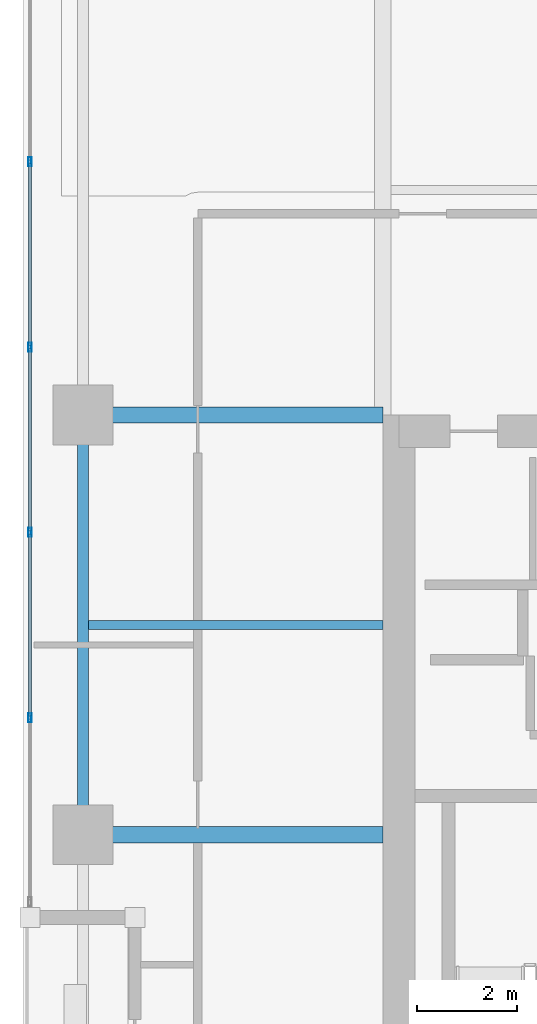
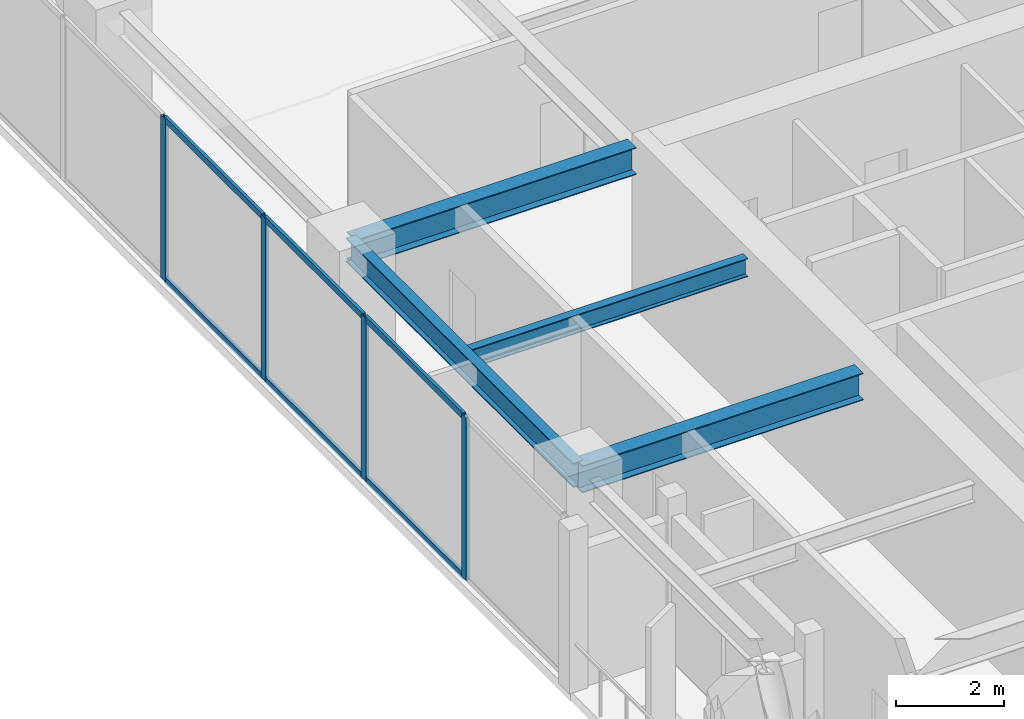
# One storey, part 4 of 21: 10 members, 4 beams, 1 element without a shape of its own.
"""IFC4 building model written with IfcOpenShell, lengths in metres."""

from ifc_helpers import new_model, si_unit, direction, frame, origin, origin_2d, place, context, subcontext, project, spatial, hollow_rectangle, i_section, extrude, material, layer, layer_set, material_profile, profile_set, type_object, element, aggregate, save


model = new_model("IFC4")

# Units and contexts
model_context = context("Model", 3, precision=1e-05, world=origin(), true_north=direction((0.0, 1.0)))
body_context = subcontext(model_context, "Body", "Model", "MODEL_VIEW")
ifc_project = project(units=[si_unit("LENGTHUNIT", "METRE"), si_unit("AREAUNIT", "SQUARE_METRE"), si_unit("VOLUMEUNIT", "CUBIC_METRE"), si_unit("PLANEANGLEUNIT", "RADIAN"), si_unit("MASSUNIT", "GRAM", prefix="KILO")], contexts=[model_context])

# Site, building, storey
site_placement = place(None, origin())
site = spatial("IfcSite", under=ifc_project, at=site_placement, CompositionType="ELEMENT")
building_placement = place(site_placement, origin())
building = spatial("IfcBuilding", under=site, at=building_placement, Name="Kiyonajd Concourse Tower", CompositionType="ELEMENT")
storey_placement = place(building_placement, frame((0.0, 0.0, 223.199951171875)))
storey = spatial("IfcBuildingStorey", under=building, at=storey_placement, Name="L56", CompositionType="ELEMENT", Elevation=223.199951171875)

# Beams
ifc_material_1 = material(Name="Steel ASTM A992 Grade 50", Category="steel")
ifc_material_profile_1 = material_profile(ifc_material_1, i_section(OverallWidth=0.180908203125, OverallDepth=0.4169921875, WebThickness=0.010986328125, FlangeThickness=0.018310546875, at=origin_2d()), Name="W410X85")
ifc_profile_set_1 = profile_set([ifc_material_profile_1], Name="Steel ASTM A992 Grade 50")
beam_type_1 = type_object("IfcBeamType", Name="BM-JST-410", PredefinedType="JOIST", material=ifc_profile_set_1)
beam_1_placement = place(storey_placement, frame((26.507080078125, 40.199951171875, 3.471435546875), z_axis=(1.0, 0.0, 0.0), x_axis=(0.0, 1.0, 0.0)))
element("IfcBeam", 1, at=beam_1_placement, inside=storey, type_object=beam_type_1, Name="L56 West Secondary Floor Joist", PredefinedType="JOIST", context=body_context, shape_type="SweptSolid", body=[
    extrude(i_section(OverallWidth=0.180908203125, OverallDepth=0.4169921875, WebThickness=0.010986328125, FlangeThickness=0.018310546875, at=origin_2d()), origin(), (0.0, 0.0, 1.0), 5.892822265625),
])
ifc_material_profile_2 = material_profile(ifc_material_1, i_section(OverallWidth=0.214111328125, OverallDepth=0.549072265625, WebThickness=0.0146484375, FlangeThickness=0.023681640625, at=origin_2d()), Name="W530X138")
ifc_profile_set_2 = profile_set([ifc_material_profile_2], Name="Steel ASTM A992 Grade 50")
beam_type_2 = type_object("IfcBeamType", Name="BM-SPAN-530A", PredefinedType="SPANDREL", material=ifc_profile_set_2)
beam_2_placement = place(storey_placement, frame((26.39990234375, 44.39990234375, 3.405517578125), z_axis=(0.0, -1.0, 0.0), x_axis=(1.0, 0.0, 0.0)))
element("IfcBeam", 2, at=beam_2_placement, inside=storey, type_object=beam_type_2, Name="L56 Perimeter Bundled Tube Spandrel", PredefinedType="SPANDREL", context=body_context, shape_type="SweptSolid", body=[
    extrude(i_section(OverallWidth=0.214111328125, OverallDepth=0.549072265625, WebThickness=0.0146484375, FlangeThickness=0.023681640625, at=origin_2d()), origin(), (0.0, 0.0, 1.0), 8.39990234375),
])
ifc_material_profile_3 = material_profile(ifc_material_1, i_section(OverallWidth=0.323974609375, OverallDepth=0.611083984375, WebThickness=0.0126953125, FlangeThickness=0.01904296875, at=origin_2d()), Name="W610X155")
ifc_profile_set_3 = profile_set([ifc_material_profile_3], Name="Steel ASTM A992 Grade 50")
beam_type_3 = type_object("IfcBeamType", Name="BM-TWR-610B", PredefinedType="BEAM", material=ifc_profile_set_3)
for number, where, z_axis, x_axis, name in (
    (3, (26.39990234375, 36.0, 3.37451171875), (1.0, 0.0, 0.0), (0.0, 1.0, 0.0), "L56 West Lease Girder"),
    (4, (26.39990234375, 44.39990234375, 3.37451171875), (1.0, 0.0, 0.0), (0.0, 1.0, 0.0), "L56 West Lease Girder"),
):
    element("IfcBeam", number, at=place(storey_placement, frame(where, z_axis=z_axis, x_axis=x_axis)), inside=storey, type_object=beam_type_3, Name=name, PredefinedType="BEAM", context=body_context, shape_type="SweptSolid", body=[
        extrude(i_section(OverallWidth=0.323974609375, OverallDepth=0.611083984375, WebThickness=0.0126953125, FlangeThickness=0.01904296875, at=origin_2d()), origin(), (0.0, 0.0, 1.0), 6.0),
    ])

# Curtain wall, members
ifc_material_2 = material(Name="Thermally Broken Anodised Aluminium", Category="aluminium")
ifc_layer = layer(ifc_material_2, 0.179931640625)
ifc_layer_set = layer_set([ifc_layer], Name="Thermally Broken Anodised Aluminium")
curtain_wall_type = type_object("IfcCurtainWallType", Name="CW-SYS-04", PredefinedType="NOTDEFINED", material=ifc_layer_set)
curtain_wall_placement = place(storey_placement, origin())
curtain_wall = element("IfcCurtainWall", 5, at=curtain_wall_placement, inside=storey, type_object=curtain_wall_type, Name="L56 Unitised Curtain Wall CW4", PredefinedType="NOTDEFINED")
ifc_material_profile_4 = material_profile(ifc_material_2, hollow_rectangle(XDim=0.06494140625, YDim=0.179931640625, WallThickness=0.00390625, at=origin_2d()), Name="MULL-65x180")
ifc_profile_set_4 = profile_set([ifc_material_profile_4], Name="Thermally Broken Anodised Aluminium")
member_type_1 = type_object("IfcMemberType", Name="MB-CW-MULL1", PredefinedType="MULLION", material=ifc_profile_set_4)
member_1_placement = place(storey_placement, frame((25.340087890625, 38.34033203125, 0.0), z_axis=(0.0, 0.0, 1.0), x_axis=(-1.0, 0.0, 0.0)))
member_1 = element("IfcMember", 6, at=member_1_placement, type_object=member_type_1, Name="CW4 mullion 2", PredefinedType="MULLION", context=body_context, shape_type="SweptSolid", body=[
    extrude(hollow_rectangle(XDim=0.06494140625, YDim=0.179931640625, WallThickness=0.00390625, at=origin_2d()), origin(), (0.0, 0.0, 1.0), 3.679931640625),
])
member_2_placement = place(storey_placement, frame((25.340087890625, 42.050537109375, 0.0), z_axis=(0.0, 0.0, 1.0), x_axis=(-1.0, 0.0, 0.0)))
member_2 = element("IfcMember", 7, at=member_2_placement, type_object=member_type_1, Name="CW4 mullion 3", PredefinedType="MULLION", context=body_context, shape_type="SweptSolid", body=[
    extrude(hollow_rectangle(XDim=0.06494140625, YDim=0.179931640625, WallThickness=0.00390625, at=origin_2d()), origin(), (0.0, 0.0, 1.0), 3.679931640625),
])
member_3_placement = place(storey_placement, frame((25.340087890625, 45.7607421875, 0.0), z_axis=(0.0, 0.0, 1.0), x_axis=(-1.0, 0.0, 0.0)))
member_3 = element("IfcMember", 8, at=member_3_placement, type_object=member_type_1, Name="CW4 mullion 4", PredefinedType="MULLION", context=body_context, shape_type="SweptSolid", body=[
    extrude(hollow_rectangle(XDim=0.06494140625, YDim=0.179931640625, WallThickness=0.00390625, at=origin_2d()), origin(), (0.0, 0.0, 1.0), 3.679931640625),
])
member_4_placement = place(storey_placement, frame((25.340087890625, 49.470947265625, 0.0), z_axis=(0.0, 0.0, 1.0), x_axis=(-1.0, 0.0, 0.0)))
member_4 = element("IfcMember", 9, at=member_4_placement, type_object=member_type_1, Name="CW4 mullion 5", PredefinedType="MULLION", context=body_context, shape_type="SweptSolid", body=[
    extrude(hollow_rectangle(XDim=0.06494140625, YDim=0.179931640625, WallThickness=0.00390625, at=origin_2d()), origin(), (0.0, 0.0, 1.0), 3.679931640625),
])
ifc_material_profile_5 = material_profile(ifc_material_2, hollow_rectangle(XDim=0.06494140625, YDim=0.139892578125, WallThickness=0.00390625, at=origin_2d()), Name="TRAN-65x140")
ifc_profile_set_5 = profile_set([ifc_material_profile_5], Name="Thermally Broken Anodised Aluminium")
member_type_2 = type_object("IfcMemberType", Name="MB-CW-TRAN1", PredefinedType="USERDEFINED", material=ifc_profile_set_5)
member_5_placement = place(storey_placement, frame((25.340087890625, 38.372802734375, 0.032470703125), z_axis=(0.0, 1.0, 0.0), x_axis=(-1.0, 0.0, 0.0)))
member_5 = element("IfcMember", 10, at=member_5_placement, type_object=member_type_2, Name="CW4 transom 2.1", ObjectType="TRANSOM", PredefinedType="USERDEFINED", context=body_context, shape_type="SweptSolid", body=[
    extrude(hollow_rectangle(XDim=0.06494140625, YDim=0.139892578125, WallThickness=0.00390625, at=origin_2d()), origin(), (0.0, 0.0, 1.0), 3.645263671875),
])
member_6_placement = place(storey_placement, frame((25.340087890625, 38.372802734375, 3.6474609375), z_axis=(0.0, 1.0, 0.0), x_axis=(-1.0, 0.0, 0.0)))
member_6 = element("IfcMember", 11, at=member_6_placement, type_object=member_type_2, Name="CW4 transom 2.2", ObjectType="TRANSOM", PredefinedType="USERDEFINED", context=body_context, shape_type="SweptSolid", body=[
    extrude(hollow_rectangle(XDim=0.06494140625, YDim=0.139892578125, WallThickness=0.00390625, at=origin_2d()), origin(), (0.0, 0.0, 1.0), 3.645263671875),
])
member_7_placement = place(storey_placement, frame((25.340087890625, 42.0830078125, 0.032470703125), z_axis=(0.0, 1.0, 0.0), x_axis=(-1.0, 0.0, 0.0)))
member_7 = element("IfcMember", 12, at=member_7_placement, type_object=member_type_2, Name="CW4 transom 3.1", ObjectType="TRANSOM", PredefinedType="USERDEFINED", context=body_context, shape_type="SweptSolid", body=[
    extrude(hollow_rectangle(XDim=0.06494140625, YDim=0.139892578125, WallThickness=0.00390625, at=origin_2d()), origin(), (0.0, 0.0, 1.0), 3.645263671875),
])
member_8_placement = place(storey_placement, frame((25.340087890625, 42.0830078125, 3.6474609375), z_axis=(0.0, 1.0, 0.0), x_axis=(-1.0, 0.0, 0.0)))
member_8 = element("IfcMember", 13, at=member_8_placement, type_object=member_type_2, Name="CW4 transom 3.2", ObjectType="TRANSOM", PredefinedType="USERDEFINED", context=body_context, shape_type="SweptSolid", body=[
    extrude(hollow_rectangle(XDim=0.06494140625, YDim=0.139892578125, WallThickness=0.00390625, at=origin_2d()), origin(), (0.0, 0.0, 1.0), 3.645263671875),
])
member_9_placement = place(storey_placement, frame((25.340087890625, 45.793212890625, 0.032470703125), z_axis=(0.0, 1.0, 0.0), x_axis=(-1.0, 0.0, 0.0)))
member_9 = element("IfcMember", 14, at=member_9_placement, type_object=member_type_2, Name="CW4 transom 4.1", ObjectType="TRANSOM", PredefinedType="USERDEFINED", context=body_context, shape_type="SweptSolid", body=[
    extrude(hollow_rectangle(XDim=0.06494140625, YDim=0.139892578125, WallThickness=0.00390625, at=origin_2d()), origin(), (0.0, 0.0, 1.0), 3.645263671875),
])
member_10_placement = place(storey_placement, frame((25.340087890625, 45.793212890625, 3.6474609375), z_axis=(0.0, 1.0, 0.0), x_axis=(-1.0, 0.0, 0.0)))
member_10 = element("IfcMember", 15, at=member_10_placement, type_object=member_type_2, Name="CW4 transom 4.2", ObjectType="TRANSOM", PredefinedType="USERDEFINED", context=body_context, shape_type="SweptSolid", body=[
    extrude(hollow_rectangle(XDim=0.06494140625, YDim=0.139892578125, WallThickness=0.00390625, at=origin_2d()), origin(), (0.0, 0.0, 1.0), 3.645263671875),
])
aggregate(curtain_wall, [member_1, member_2, member_3, member_4, member_5, member_6, member_7, member_8, member_9, member_10])

save(model, "model.ifc")
